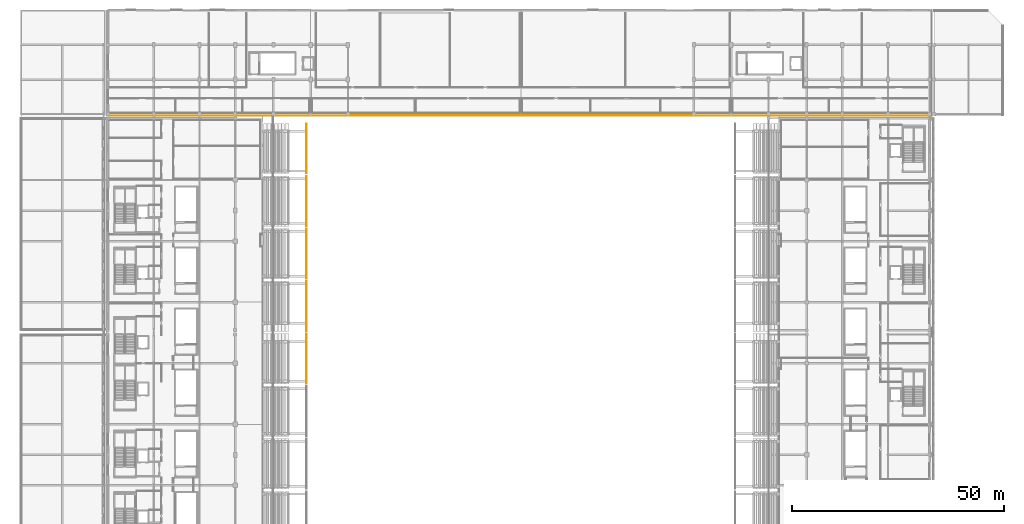
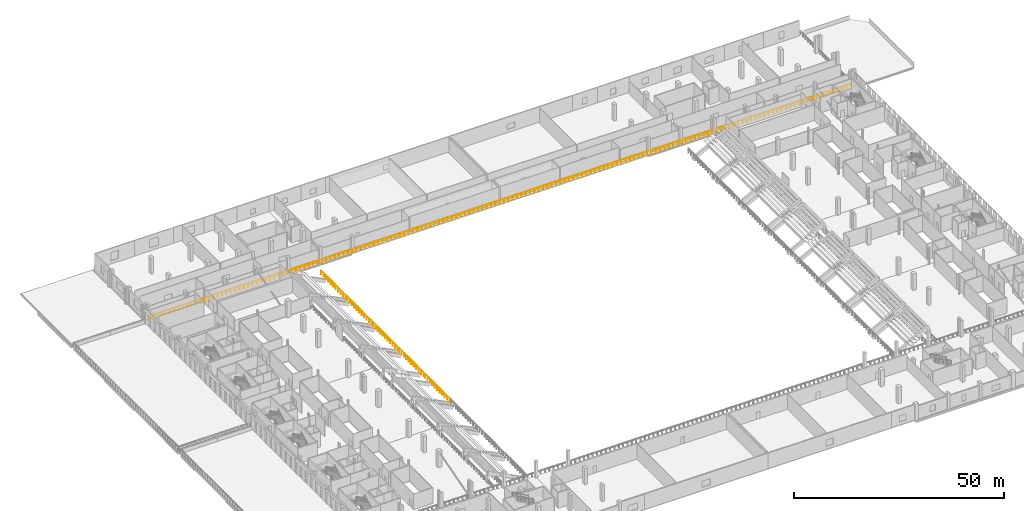
# One storey, part 63 of 74: 6 railings.
"""IFC4 building model written with IfcOpenShell, lengths in metres."""

from ifc_helpers import new_model, si_unit, direction, frame, origin, origin_2d, place, context, subcontext, project, spatial, circle, extrude, material, type_object, element, save


model = new_model("IFC4")

# Units and contexts
model_context = context("Model", 3, precision=1e-05, world=origin(), true_north=direction((0.0, 1.0)))
body_context = subcontext(model_context, "Body", "Model", "MODEL_VIEW")
ifc_project = project(units=[si_unit("LENGTHUNIT", "METRE"), si_unit("AREAUNIT", "SQUARE_METRE"), si_unit("VOLUMEUNIT", "CUBIC_METRE"), si_unit("PLANEANGLEUNIT", "RADIAN"), si_unit("MASSUNIT", "GRAM", prefix="KILO")], contexts=[model_context])

# Site, building, storey
site_placement = place(None, origin())
site = spatial("IfcSite", under=ifc_project, at=site_placement, CompositionType="ELEMENT")
building_placement = place(site_placement, origin())
building = spatial("IfcBuilding", under=site, at=building_placement, Name="Koshinbarg Plaza Stadium", CompositionType="ELEMENT")
storey_placement = place(building_placement, frame((0.0, 0.0, 15.0)))
storey = spatial("IfcBuildingStorey", under=building, at=storey_placement, Name="L03", CompositionType="ELEMENT", Elevation=15.0)

# Railings
ifc_material = material(Name="Toughened laminated glass and stainless steel sightline balustrade", Category="steel")
railing_type = type_object("IfcRailingType", Name="RL-BOWL-1100", PredefinedType="BALUSTRADE", material=ifc_material)
railing_1_placement = place(storey_placement, frame((25.0, 127.1201171875, 0.0)))
element("IfcRailing", 1, at=railing_1_placement, inside=storey, type_object=railing_type, Name="L03 bowl concourse sightline balustrade 0024", PredefinedType="BALUSTRADE", context=body_context, shape_type="SweptSolid", body=[
    extrude(circle(Radius=0.02392578125, at=origin_2d()), frame((0.0, 0.0, 1.076171875), z_axis=(1.0, 0.0, 0.0), x_axis=(0.0, 1.0, 0.0)), (0.0, 0.0, 1.0), 193.39990234375),
    extrude(circle(Radius=0.02099609375, at=origin_2d()), origin(), (0.0, 0.0, 1.0), 1.052001953125),
    extrude(circle(Radius=0.02099609375, at=origin_2d()), frame((1.19384765625, 0.0, 0.0)), (0.0, 0.0, 1.0), 1.052001953125),
    extrude(circle(Radius=0.02099609375, at=origin_2d()), frame((2.3876953125, 0.0, 0.0)), (0.0, 0.0, 1.0), 1.052001953125),
    extrude(circle(Radius=0.02099609375, at=origin_2d()), frame((3.58154296875, 0.0, 0.0)), (0.0, 0.0, 1.0), 1.052001953125),
    extrude(circle(Radius=0.02099609375, at=origin_2d()), frame((4.775390625, 0.0, 0.0)), (0.0, 0.0, 1.0), 1.052001953125),
    extrude(circle(Radius=0.02099609375, at=origin_2d()), frame((5.96923828125, 0.0, 0.0)), (0.0, 0.0, 1.0), 1.052001953125),
    extrude(circle(Radius=0.02099609375, at=origin_2d()), frame((7.162841796875, 0.0, 0.0)), (0.0, 0.0, 1.0), 1.052001953125),
    extrude(circle(Radius=0.02099609375, at=origin_2d()), frame((8.356689453125, 0.0, 0.0)), (0.0, 0.0, 1.0), 1.052001953125),
    extrude(circle(Radius=0.02099609375, at=origin_2d()), frame((9.550537109375, 0.0, 0.0)), (0.0, 0.0, 1.0), 1.052001953125),
    extrude(circle(Radius=0.02099609375, at=origin_2d()), frame((10.744384765625, 0.0, 0.0)), (0.0, 0.0, 1.0), 1.052001953125),
    extrude(circle(Radius=0.02099609375, at=origin_2d()), frame((11.938232421875, 0.0, 0.0)), (0.0, 0.0, 1.0), 1.052001953125),
    extrude(circle(Radius=0.02099609375, at=origin_2d()), frame((13.132080078125, 0.0, 0.0)), (0.0, 0.0, 1.0), 1.052001953125),
    extrude(circle(Radius=0.02099609375, at=origin_2d()), frame((14.325927734375, 0.0, 0.0)), (0.0, 0.0, 1.0), 1.052001953125),
    extrude(circle(Radius=0.02099609375, at=origin_2d()), frame((15.519775390625, 0.0, 0.0)), (0.0, 0.0, 1.0), 1.052001953125),
    extrude(circle(Radius=0.02099609375, at=origin_2d()), frame((16.713623046875, 0.0, 0.0)), (0.0, 0.0, 1.0), 1.052001953125),
    extrude(circle(Radius=0.02099609375, at=origin_2d()), frame((17.907470703125, 0.0, 0.0)), (0.0, 0.0, 1.0), 1.052001953125),
    extrude(circle(Radius=0.02099609375, at=origin_2d()), frame((19.101318359375, 0.0, 0.0)), (0.0, 0.0, 1.0), 1.052001953125),
    extrude(circle(Radius=0.02099609375, at=origin_2d()), frame((20.295166015625, 0.0, 0.0)), (0.0, 0.0, 1.0), 1.052001953125),
    extrude(circle(Radius=0.02099609375, at=origin_2d()), frame((21.48876953125, 0.0, 0.0)), (0.0, 0.0, 1.0), 1.052001953125),
    extrude(circle(Radius=0.02099609375, at=origin_2d()), frame((22.6826171875, 0.0, 0.0)), (0.0, 0.0, 1.0), 1.052001953125),
    extrude(circle(Radius=0.02099609375, at=origin_2d()), frame((23.87646484375, 0.0, 0.0)), (0.0, 0.0, 1.0), 1.052001953125),
    extrude(circle(Radius=0.02099609375, at=origin_2d()), frame((25.0703125, 0.0, 0.0)), (0.0, 0.0, 1.0), 1.052001953125),
    extrude(circle(Radius=0.02099609375, at=origin_2d()), frame((26.26416015625, 0.0, 0.0)), (0.0, 0.0, 1.0), 1.052001953125),
    extrude(circle(Radius=0.02099609375, at=origin_2d()), frame((27.4580078125, 0.0, 0.0)), (0.0, 0.0, 1.0), 1.052001953125),
    extrude(circle(Radius=0.02099609375, at=origin_2d()), frame((28.65185546875, 0.0, 0.0)), (0.0, 0.0, 1.0), 1.052001953125),
    extrude(circle(Radius=0.02099609375, at=origin_2d()), frame((29.845703125, 0.0, 0.0)), (0.0, 0.0, 1.0), 1.052001953125),
    extrude(circle(Radius=0.02099609375, at=origin_2d()), frame((31.03955078125, 0.0, 0.0)), (0.0, 0.0, 1.0), 1.052001953125),
    extrude(circle(Radius=0.02099609375, at=origin_2d()), frame((32.2333984375, 0.0, 0.0)), (0.0, 0.0, 1.0), 1.052001953125),
    extrude(circle(Radius=0.02099609375, at=origin_2d()), frame((33.42724609375, 0.0, 0.0)), (0.0, 0.0, 1.0), 1.052001953125),
    extrude(circle(Radius=0.02099609375, at=origin_2d()), frame((34.620849609375, 0.0, 0.0)), (0.0, 0.0, 1.0), 1.052001953125),
    extrude(circle(Radius=0.02099609375, at=origin_2d()), frame((35.814697265625, 0.0, 0.0)), (0.0, 0.0, 1.0), 1.052001953125),
    extrude(circle(Radius=0.02099609375, at=origin_2d()), frame((37.008544921875, 0.0, 0.0)), (0.0, 0.0, 1.0), 1.052001953125),
    extrude(circle(Radius=0.02099609375, at=origin_2d()), frame((38.202392578125, 0.0, 0.0)), (0.0, 0.0, 1.0), 1.052001953125),
    extrude(circle(Radius=0.02099609375, at=origin_2d()), frame((39.396240234375, 0.0, 0.0)), (0.0, 0.0, 1.0), 1.052001953125),
    extrude(circle(Radius=0.02099609375, at=origin_2d()), frame((40.590087890625, 0.0, 0.0)), (0.0, 0.0, 1.0), 1.052001953125),
    extrude(circle(Radius=0.02099609375, at=origin_2d()), frame((41.783935546875, 0.0, 0.0)), (0.0, 0.0, 1.0), 1.052001953125),
    extrude(circle(Radius=0.02099609375, at=origin_2d()), frame((42.977783203125, 0.0, 0.0)), (0.0, 0.0, 1.0), 1.052001953125),
    extrude(circle(Radius=0.02099609375, at=origin_2d()), frame((44.171630859375, 0.0, 0.0)), (0.0, 0.0, 1.0), 1.052001953125),
    extrude(circle(Radius=0.02099609375, at=origin_2d()), frame((45.365478515625, 0.0, 0.0)), (0.0, 0.0, 1.0), 1.052001953125),
    extrude(circle(Radius=0.02099609375, at=origin_2d()), frame((46.559326171875, 0.0, 0.0)), (0.0, 0.0, 1.0), 1.052001953125),
    extrude(circle(Radius=0.02099609375, at=origin_2d()), frame((47.753173828125, 0.0, 0.0)), (0.0, 0.0, 1.0), 1.052001953125),
    extrude(circle(Radius=0.02099609375, at=origin_2d()), frame((48.94677734375, 0.0, 0.0)), (0.0, 0.0, 1.0), 1.052001953125),
    extrude(circle(Radius=0.02099609375, at=origin_2d()), frame((50.140625, 0.0, 0.0)), (0.0, 0.0, 1.0), 1.052001953125),
    extrude(circle(Radius=0.02099609375, at=origin_2d()), frame((51.33447265625, 0.0, 0.0)), (0.0, 0.0, 1.0), 1.052001953125),
    extrude(circle(Radius=0.02099609375, at=origin_2d()), frame((52.5283203125, 0.0, 0.0)), (0.0, 0.0, 1.0), 1.052001953125),
    extrude(circle(Radius=0.02099609375, at=origin_2d()), frame((53.72216796875, 0.0, 0.0)), (0.0, 0.0, 1.0), 1.052001953125),
    extrude(circle(Radius=0.02099609375, at=origin_2d()), frame((54.916015625, 0.0, 0.0)), (0.0, 0.0, 1.0), 1.052001953125),
    extrude(circle(Radius=0.02099609375, at=origin_2d()), frame((56.10986328125, 0.0, 0.0)), (0.0, 0.0, 1.0), 1.052001953125),
    extrude(circle(Radius=0.02099609375, at=origin_2d()), frame((57.3037109375, 0.0, 0.0)), (0.0, 0.0, 1.0), 1.052001953125),
    extrude(circle(Radius=0.02099609375, at=origin_2d()), frame((58.49755859375, 0.0, 0.0)), (0.0, 0.0, 1.0), 1.052001953125),
    extrude(circle(Radius=0.02099609375, at=origin_2d()), frame((59.69140625, 0.0, 0.0)), (0.0, 0.0, 1.0), 1.052001953125),
    extrude(circle(Radius=0.02099609375, at=origin_2d()), frame((60.88525390625, 0.0, 0.0)), (0.0, 0.0, 1.0), 1.052001953125),
    extrude(circle(Radius=0.02099609375, at=origin_2d()), frame((62.0791015625, 0.0, 0.0)), (0.0, 0.0, 1.0), 1.052001953125),
    extrude(circle(Radius=0.02099609375, at=origin_2d()), frame((63.272705078125, 0.0, 0.0)), (0.0, 0.0, 1.0), 1.052001953125),
    extrude(circle(Radius=0.02099609375, at=origin_2d()), frame((64.466552734375, 0.0, 0.0)), (0.0, 0.0, 1.0), 1.052001953125),
    extrude(circle(Radius=0.02099609375, at=origin_2d()), frame((65.660400390625, 0.0, 0.0)), (0.0, 0.0, 1.0), 1.052001953125),
    extrude(circle(Radius=0.02099609375, at=origin_2d()), frame((66.854248046875, 0.0, 0.0)), (0.0, 0.0, 1.0), 1.052001953125),
    extrude(circle(Radius=0.02099609375, at=origin_2d()), frame((68.048095703125, 0.0, 0.0)), (0.0, 0.0, 1.0), 1.052001953125),
    extrude(circle(Radius=0.02099609375, at=origin_2d()), frame((69.241943359375, 0.0, 0.0)), (0.0, 0.0, 1.0), 1.052001953125),
    extrude(circle(Radius=0.02099609375, at=origin_2d()), frame((70.435791015625, 0.0, 0.0)), (0.0, 0.0, 1.0), 1.052001953125),
    extrude(circle(Radius=0.02099609375, at=origin_2d()), frame((71.629638671875, 0.0, 0.0)), (0.0, 0.0, 1.0), 1.052001953125),
    extrude(circle(Radius=0.02099609375, at=origin_2d()), frame((72.823486328125, 0.0, 0.0)), (0.0, 0.0, 1.0), 1.052001953125),
    extrude(circle(Radius=0.02099609375, at=origin_2d()), frame((74.017333984375, 0.0, 0.0)), (0.0, 0.0, 1.0), 1.052001953125),
    extrude(circle(Radius=0.02099609375, at=origin_2d()), frame((75.211181640625, 0.0, 0.0)), (0.0, 0.0, 1.0), 1.052001953125),
    extrude(circle(Radius=0.02099609375, at=origin_2d()), frame((76.40478515625, 0.0, 0.0)), (0.0, 0.0, 1.0), 1.052001953125),
    extrude(circle(Radius=0.02099609375, at=origin_2d()), frame((77.5986328125, 0.0, 0.0)), (0.0, 0.0, 1.0), 1.052001953125),
    extrude(circle(Radius=0.02099609375, at=origin_2d()), frame((78.79248046875, 0.0, 0.0)), (0.0, 0.0, 1.0), 1.052001953125),
    extrude(circle(Radius=0.02099609375, at=origin_2d()), frame((79.986328125, 0.0, 0.0)), (0.0, 0.0, 1.0), 1.052001953125),
    extrude(circle(Radius=0.02099609375, at=origin_2d()), frame((81.18017578125, 0.0, 0.0)), (0.0, 0.0, 1.0), 1.052001953125),
    extrude(circle(Radius=0.02099609375, at=origin_2d()), frame((82.3740234375, 0.0, 0.0)), (0.0, 0.0, 1.0), 1.052001953125),
    extrude(circle(Radius=0.02099609375, at=origin_2d()), frame((83.56787109375, 0.0, 0.0)), (0.0, 0.0, 1.0), 1.052001953125),
    extrude(circle(Radius=0.02099609375, at=origin_2d()), frame((84.76171875, 0.0, 0.0)), (0.0, 0.0, 1.0), 1.052001953125),
    extrude(circle(Radius=0.02099609375, at=origin_2d()), frame((85.95556640625, 0.0, 0.0)), (0.0, 0.0, 1.0), 1.052001953125),
    extrude(circle(Radius=0.02099609375, at=origin_2d()), frame((87.1494140625, 0.0, 0.0)), (0.0, 0.0, 1.0), 1.052001953125),
    extrude(circle(Radius=0.02099609375, at=origin_2d()), frame((88.34326171875, 0.0, 0.0)), (0.0, 0.0, 1.0), 1.052001953125),
    extrude(circle(Radius=0.02099609375, at=origin_2d()), frame((89.537109375, 0.0, 0.0)), (0.0, 0.0, 1.0), 1.052001953125),
    extrude(circle(Radius=0.02099609375, at=origin_2d()), frame((90.730712890625, 0.0, 0.0)), (0.0, 0.0, 1.0), 1.052001953125),
    extrude(circle(Radius=0.02099609375, at=origin_2d()), frame((91.924560546875, 0.0, 0.0)), (0.0, 0.0, 1.0), 1.052001953125),
    extrude(circle(Radius=0.02099609375, at=origin_2d()), frame((93.118408203125, 0.0, 0.0)), (0.0, 0.0, 1.0), 1.052001953125),
    extrude(circle(Radius=0.02099609375, at=origin_2d()), frame((94.312255859375, 0.0, 0.0)), (0.0, 0.0, 1.0), 1.052001953125),
    extrude(circle(Radius=0.02099609375, at=origin_2d()), frame((95.506103515625, 0.0, 0.0)), (0.0, 0.0, 1.0), 1.052001953125),
    extrude(circle(Radius=0.02099609375, at=origin_2d()), frame((96.699951171875, 0.0, 0.0)), (0.0, 0.0, 1.0), 1.052001953125),
    extrude(circle(Radius=0.02099609375, at=origin_2d()), frame((97.893798828125, 0.0, 0.0)), (0.0, 0.0, 1.0), 1.052001953125),
    extrude(circle(Radius=0.02099609375, at=origin_2d()), frame((99.087646484375, 0.0, 0.0)), (0.0, 0.0, 1.0), 1.052001953125),
    extrude(circle(Radius=0.02099609375, at=origin_2d()), frame((100.281494140625, 0.0, 0.0)), (0.0, 0.0, 1.0), 1.052001953125),
    extrude(circle(Radius=0.02099609375, at=origin_2d()), frame((101.475341796875, 0.0, 0.0)), (0.0, 0.0, 1.0), 1.052001953125),
    extrude(circle(Radius=0.02099609375, at=origin_2d()), frame((102.669189453125, 0.0, 0.0)), (0.0, 0.0, 1.0), 1.052001953125),
    extrude(circle(Radius=0.02099609375, at=origin_2d()), frame((103.86279296875, 0.0, 0.0)), (0.0, 0.0, 1.0), 1.052001953125),
    extrude(circle(Radius=0.02099609375, at=origin_2d()), frame((105.056640625, 0.0, 0.0)), (0.0, 0.0, 1.0), 1.052001953125),
    extrude(circle(Radius=0.02099609375, at=origin_2d()), frame((106.25048828125, 0.0, 0.0)), (0.0, 0.0, 1.0), 1.052001953125),
    extrude(circle(Radius=0.02099609375, at=origin_2d()), frame((107.4443359375, 0.0, 0.0)), (0.0, 0.0, 1.0), 1.052001953125),
    extrude(circle(Radius=0.02099609375, at=origin_2d()), frame((108.63818359375, 0.0, 0.0)), (0.0, 0.0, 1.0), 1.052001953125),
    extrude(circle(Radius=0.02099609375, at=origin_2d()), frame((109.83203125, 0.0, 0.0)), (0.0, 0.0, 1.0), 1.052001953125),
    extrude(circle(Radius=0.02099609375, at=origin_2d()), frame((111.02587890625, 0.0, 0.0)), (0.0, 0.0, 1.0), 1.052001953125),
    extrude(circle(Radius=0.02099609375, at=origin_2d()), frame((112.2197265625, 0.0, 0.0)), (0.0, 0.0, 1.0), 1.052001953125),
    extrude(circle(Radius=0.02099609375, at=origin_2d()), frame((113.41357421875, 0.0, 0.0)), (0.0, 0.0, 1.0), 1.052001953125),
    extrude(circle(Radius=0.02099609375, at=origin_2d()), frame((114.607421875, 0.0, 0.0)), (0.0, 0.0, 1.0), 1.052001953125),
    extrude(circle(Radius=0.02099609375, at=origin_2d()), frame((115.80126953125, 0.0, 0.0)), (0.0, 0.0, 1.0), 1.052001953125),
    extrude(circle(Radius=0.02099609375, at=origin_2d()), frame((116.9951171875, 0.0, 0.0)), (0.0, 0.0, 1.0), 1.052001953125),
    extrude(circle(Radius=0.02099609375, at=origin_2d()), frame((118.188720703125, 0.0, 0.0)), (0.0, 0.0, 1.0), 1.052001953125),
    extrude(circle(Radius=0.02099609375, at=origin_2d()), frame((119.382568359375, 0.0, 0.0)), (0.0, 0.0, 1.0), 1.052001953125),
    extrude(circle(Radius=0.02099609375, at=origin_2d()), frame((120.576416015625, 0.0, 0.0)), (0.0, 0.0, 1.0), 1.052001953125),
    extrude(circle(Radius=0.02099609375, at=origin_2d()), frame((121.770263671875, 0.0, 0.0)), (0.0, 0.0, 1.0), 1.052001953125),
    extrude(circle(Radius=0.02099609375, at=origin_2d()), frame((122.964111328125, 0.0, 0.0)), (0.0, 0.0, 1.0), 1.052001953125),
    extrude(circle(Radius=0.02099609375, at=origin_2d()), frame((124.157958984375, 0.0, 0.0)), (0.0, 0.0, 1.0), 1.052001953125),
    extrude(circle(Radius=0.02099609375, at=origin_2d()), frame((125.351806640625, 0.0, 0.0)), (0.0, 0.0, 1.0), 1.052001953125),
    extrude(circle(Radius=0.02099609375, at=origin_2d()), frame((126.545654296875, 0.0, 0.0)), (0.0, 0.0, 1.0), 1.052001953125),
    extrude(circle(Radius=0.02099609375, at=origin_2d()), frame((127.739501953125, 0.0, 0.0)), (0.0, 0.0, 1.0), 1.052001953125),
    extrude(circle(Radius=0.02099609375, at=origin_2d()), frame((128.933349609375, 0.0, 0.0)), (0.0, 0.0, 1.0), 1.052001953125),
    extrude(circle(Radius=0.02099609375, at=origin_2d()), frame((130.127197265625, 0.0, 0.0)), (0.0, 0.0, 1.0), 1.052001953125),
    extrude(circle(Radius=0.02099609375, at=origin_2d()), frame((131.32080078125, 0.0, 0.0)), (0.0, 0.0, 1.0), 1.052001953125),
    extrude(circle(Radius=0.02099609375, at=origin_2d()), frame((132.5146484375, 0.0, 0.0)), (0.0, 0.0, 1.0), 1.052001953125),
    extrude(circle(Radius=0.02099609375, at=origin_2d()), frame((133.70849609375, 0.0, 0.0)), (0.0, 0.0, 1.0), 1.052001953125),
    extrude(circle(Radius=0.02099609375, at=origin_2d()), frame((134.90234375, 0.0, 0.0)), (0.0, 0.0, 1.0), 1.052001953125),
    extrude(circle(Radius=0.02099609375, at=origin_2d()), frame((136.09619140625, 0.0, 0.0)), (0.0, 0.0, 1.0), 1.052001953125),
    extrude(circle(Radius=0.02099609375, at=origin_2d()), frame((137.2900390625, 0.0, 0.0)), (0.0, 0.0, 1.0), 1.052001953125),
    extrude(circle(Radius=0.02099609375, at=origin_2d()), frame((138.48388671875, 0.0, 0.0)), (0.0, 0.0, 1.0), 1.052001953125),
    extrude(circle(Radius=0.02099609375, at=origin_2d()), frame((139.677734375, 0.0, 0.0)), (0.0, 0.0, 1.0), 1.052001953125),
    extrude(circle(Radius=0.02099609375, at=origin_2d()), frame((140.87158203125, 0.0, 0.0)), (0.0, 0.0, 1.0), 1.052001953125),
    extrude(circle(Radius=0.02099609375, at=origin_2d()), frame((142.0654296875, 0.0, 0.0)), (0.0, 0.0, 1.0), 1.052001953125),
    extrude(circle(Radius=0.02099609375, at=origin_2d()), frame((143.25927734375, 0.0, 0.0)), (0.0, 0.0, 1.0), 1.052001953125),
    extrude(circle(Radius=0.02099609375, at=origin_2d()), frame((144.453125, 0.0, 0.0)), (0.0, 0.0, 1.0), 1.052001953125),
    extrude(circle(Radius=0.02099609375, at=origin_2d()), frame((145.646728515625, 0.0, 0.0)), (0.0, 0.0, 1.0), 1.052001953125),
    extrude(circle(Radius=0.02099609375, at=origin_2d()), frame((146.840576171875, 0.0, 0.0)), (0.0, 0.0, 1.0), 1.052001953125),
    extrude(circle(Radius=0.02099609375, at=origin_2d()), frame((148.034423828125, 0.0, 0.0)), (0.0, 0.0, 1.0), 1.052001953125),
    extrude(circle(Radius=0.02099609375, at=origin_2d()), frame((149.228271484375, 0.0, 0.0)), (0.0, 0.0, 1.0), 1.052001953125),
    extrude(circle(Radius=0.02099609375, at=origin_2d()), frame((150.422119140625, 0.0, 0.0)), (0.0, 0.0, 1.0), 1.052001953125),
    extrude(circle(Radius=0.02099609375, at=origin_2d()), frame((151.615966796875, 0.0, 0.0)), (0.0, 0.0, 1.0), 1.052001953125),
    extrude(circle(Radius=0.02099609375, at=origin_2d()), frame((152.809814453125, 0.0, 0.0)), (0.0, 0.0, 1.0), 1.052001953125),
    extrude(circle(Radius=0.02099609375, at=origin_2d()), frame((154.003662109375, 0.0, 0.0)), (0.0, 0.0, 1.0), 1.052001953125),
    extrude(circle(Radius=0.02099609375, at=origin_2d()), frame((155.197509765625, 0.0, 0.0)), (0.0, 0.0, 1.0), 1.052001953125),
    extrude(circle(Radius=0.02099609375, at=origin_2d()), frame((156.391357421875, 0.0, 0.0)), (0.0, 0.0, 1.0), 1.052001953125),
    extrude(circle(Radius=0.02099609375, at=origin_2d()), frame((157.585205078125, 0.0, 0.0)), (0.0, 0.0, 1.0), 1.052001953125),
    extrude(circle(Radius=0.02099609375, at=origin_2d()), frame((158.779052734375, 0.0, 0.0)), (0.0, 0.0, 1.0), 1.052001953125),
    extrude(circle(Radius=0.02099609375, at=origin_2d()), frame((159.97265625, 0.0, 0.0)), (0.0, 0.0, 1.0), 1.052001953125),
    extrude(circle(Radius=0.02099609375, at=origin_2d()), frame((161.16650390625, 0.0, 0.0)), (0.0, 0.0, 1.0), 1.052001953125),
    extrude(circle(Radius=0.02099609375, at=origin_2d()), frame((162.3603515625, 0.0, 0.0)), (0.0, 0.0, 1.0), 1.052001953125),
    extrude(circle(Radius=0.02099609375, at=origin_2d()), frame((163.55419921875, 0.0, 0.0)), (0.0, 0.0, 1.0), 1.052001953125),
    extrude(circle(Radius=0.02099609375, at=origin_2d()), frame((164.748046875, 0.0, 0.0)), (0.0, 0.0, 1.0), 1.052001953125),
    extrude(circle(Radius=0.02099609375, at=origin_2d()), frame((165.94189453125, 0.0, 0.0)), (0.0, 0.0, 1.0), 1.052001953125),
    extrude(circle(Radius=0.02099609375, at=origin_2d()), frame((167.1357421875, 0.0, 0.0)), (0.0, 0.0, 1.0), 1.052001953125),
    extrude(circle(Radius=0.02099609375, at=origin_2d()), frame((168.32958984375, 0.0, 0.0)), (0.0, 0.0, 1.0), 1.052001953125),
    extrude(circle(Radius=0.02099609375, at=origin_2d()), frame((169.5234375, 0.0, 0.0)), (0.0, 0.0, 1.0), 1.052001953125),
    extrude(circle(Radius=0.02099609375, at=origin_2d()), frame((170.71728515625, 0.0, 0.0)), (0.0, 0.0, 1.0), 1.052001953125),
    extrude(circle(Radius=0.02099609375, at=origin_2d()), frame((171.9111328125, 0.0, 0.0)), (0.0, 0.0, 1.0), 1.052001953125),
    extrude(circle(Radius=0.02099609375, at=origin_2d()), frame((173.104736328125, 0.0, 0.0)), (0.0, 0.0, 1.0), 1.052001953125),
    extrude(circle(Radius=0.02099609375, at=origin_2d()), frame((174.298583984375, 0.0, 0.0)), (0.0, 0.0, 1.0), 1.052001953125),
    extrude(circle(Radius=0.02099609375, at=origin_2d()), frame((175.492431640625, 0.0, 0.0)), (0.0, 0.0, 1.0), 1.052001953125),
    extrude(circle(Radius=0.02099609375, at=origin_2d()), frame((176.686279296875, 0.0, 0.0)), (0.0, 0.0, 1.0), 1.052001953125),
    extrude(circle(Radius=0.02099609375, at=origin_2d()), frame((177.880126953125, 0.0, 0.0)), (0.0, 0.0, 1.0), 1.052001953125),
    extrude(circle(Radius=0.02099609375, at=origin_2d()), frame((179.073974609375, 0.0, 0.0)), (0.0, 0.0, 1.0), 1.052001953125),
    extrude(circle(Radius=0.02099609375, at=origin_2d()), frame((180.267822265625, 0.0, 0.0)), (0.0, 0.0, 1.0), 1.052001953125),
    extrude(circle(Radius=0.02099609375, at=origin_2d()), frame((181.461669921875, 0.0, 0.0)), (0.0, 0.0, 1.0), 1.052001953125),
    extrude(circle(Radius=0.02099609375, at=origin_2d()), frame((182.655517578125, 0.0, 0.0)), (0.0, 0.0, 1.0), 1.052001953125),
    extrude(circle(Radius=0.02099609375, at=origin_2d()), frame((183.849365234375, 0.0, 0.0)), (0.0, 0.0, 1.0), 1.052001953125),
    extrude(circle(Radius=0.02099609375, at=origin_2d()), frame((185.043212890625, 0.0, 0.0)), (0.0, 0.0, 1.0), 1.052001953125),
    extrude(circle(Radius=0.02099609375, at=origin_2d()), frame((186.237060546875, 0.0, 0.0)), (0.0, 0.0, 1.0), 1.052001953125),
    extrude(circle(Radius=0.02099609375, at=origin_2d()), frame((187.4306640625, 0.0, 0.0)), (0.0, 0.0, 1.0), 1.052001953125),
    extrude(circle(Radius=0.02099609375, at=origin_2d()), frame((188.62451171875, 0.0, 0.0)), (0.0, 0.0, 1.0), 1.052001953125),
    extrude(circle(Radius=0.02099609375, at=origin_2d()), frame((189.818359375, 0.0, 0.0)), (0.0, 0.0, 1.0), 1.052001953125),
    extrude(circle(Radius=0.02099609375, at=origin_2d()), frame((191.01220703125, 0.0, 0.0)), (0.0, 0.0, 1.0), 1.052001953125),
    extrude(circle(Radius=0.02099609375, at=origin_2d()), frame((192.2060546875, 0.0, 0.0)), (0.0, 0.0, 1.0), 1.052001953125),
    extrude(circle(Radius=0.02099609375, at=origin_2d()), frame((193.39990234375, 0.0, 0.0)), (0.0, 0.0, 1.0), 1.052001953125),
])
railing_2_placement = place(storey_placement, frame((71.419921875, 63.8798828125, -1.780029296875)))
element("IfcRailing", 2, at=railing_2_placement, inside=storey, type_object=railing_type, Name="UT-W04 front stand crowd barrier", PredefinedType="BALUSTRADE", context=body_context, shape_type="SweptSolid", body=[
    extrude(circle(Radius=0.02392578125, at=origin_2d()), frame((0.0, 0.0, 1.076171875), z_axis=(0.0, 1.0, 0.0), x_axis=(-1.0, 0.0, 0.0)), (0.0, 0.0, 1.0), 11.740234375),
    extrude(circle(Radius=0.02099609375, at=origin_2d()), origin(), (0.0, 0.0, 1.0), 1.052001953125),
    extrude(circle(Radius=0.02099609375, at=origin_2d()), frame((0.0, 1.174072265625, 0.0)), (0.0, 0.0, 1.0), 1.052001953125),
    extrude(circle(Radius=0.02099609375, at=origin_2d()), frame((0.0, 2.34814453125, 0.0)), (0.0, 0.0, 1.0), 1.052001953125),
    extrude(circle(Radius=0.02099609375, at=origin_2d()), frame((0.0, 3.52197265625, 0.0)), (0.0, 0.0, 1.0), 1.052001953125),
    extrude(circle(Radius=0.02099609375, at=origin_2d()), frame((0.0, 4.696044921875, 0.0)), (0.0, 0.0, 1.0), 1.052001953125),
    extrude(circle(Radius=0.02099609375, at=origin_2d()), frame((0.0, 5.8701171875, 0.0)), (0.0, 0.0, 1.0), 1.052001953125),
    extrude(circle(Radius=0.02099609375, at=origin_2d()), frame((0.0, 7.044189453125, 0.0)), (0.0, 0.0, 1.0), 1.052001953125),
    extrude(circle(Radius=0.02099609375, at=origin_2d()), frame((0.0, 8.21826171875, 0.0)), (0.0, 0.0, 1.0), 1.052001953125),
    extrude(circle(Radius=0.02099609375, at=origin_2d()), frame((0.0, 9.39208984375, 0.0)), (0.0, 0.0, 1.0), 1.052001953125),
    extrude(circle(Radius=0.02099609375, at=origin_2d()), frame((0.0, 10.566162109375, 0.0)), (0.0, 0.0, 1.0), 1.052001953125),
    extrude(circle(Radius=0.02099609375, at=origin_2d()), frame((0.0, 11.740234375, 0.0)), (0.0, 0.0, 1.0), 1.052001953125),
])
for number, where, name in (
    (3, (71.419921875, 76.280029296875, -1.780029296875), "UT-W05 front stand crowd barrier"),
    (4, (71.419921875, 88.679931640625, -1.780029296875), "UT-W06 front stand crowd barrier"),
    (5, (71.419921875, 101.080078125, -1.780029296875), "UT-W07 front stand crowd barrier"),
    (6, (71.419921875, 113.47998046875, -1.780029296875), "UT-W08 front stand crowd barrier"),
):
    element("IfcRailing", number, at=place(storey_placement, frame(where)), inside=storey, type_object=railing_type, Name=name, PredefinedType="BALUSTRADE", context=body_context, shape_type="SweptSolid", body=[
        extrude(circle(Radius=0.02392578125, at=origin_2d()), frame((0.0, 0.0, 1.076171875), z_axis=(0.0, 1.0, 0.0), x_axis=(-1.0, 0.0, 0.0)), (0.0, 0.0, 1.0), 11.739990234375),
        extrude(circle(Radius=0.02099609375, at=origin_2d()), origin(), (0.0, 0.0, 1.0), 1.052001953125),
        extrude(circle(Radius=0.02099609375, at=origin_2d()), frame((0.0, 1.174072265625, 0.0)), (0.0, 0.0, 1.0), 1.052001953125),
        extrude(circle(Radius=0.02099609375, at=origin_2d()), frame((0.0, 2.347900390625, 0.0)), (0.0, 0.0, 1.0), 1.052001953125),
        extrude(circle(Radius=0.02099609375, at=origin_2d()), frame((0.0, 3.52197265625, 0.0)), (0.0, 0.0, 1.0), 1.052001953125),
        extrude(circle(Radius=0.02099609375, at=origin_2d()), frame((0.0, 4.696044921875, 0.0)), (0.0, 0.0, 1.0), 1.052001953125),
        extrude(circle(Radius=0.02099609375, at=origin_2d()), frame((0.0, 5.8701171875, 0.0)), (0.0, 0.0, 1.0), 1.052001953125),
        extrude(circle(Radius=0.02099609375, at=origin_2d()), frame((0.0, 7.0439453125, 0.0)), (0.0, 0.0, 1.0), 1.052001953125),
        extrude(circle(Radius=0.02099609375, at=origin_2d()), frame((0.0, 8.218017578125, 0.0)), (0.0, 0.0, 1.0), 1.052001953125),
        extrude(circle(Radius=0.02099609375, at=origin_2d()), frame((0.0, 9.39208984375, 0.0)), (0.0, 0.0, 1.0), 1.052001953125),
        extrude(circle(Radius=0.02099609375, at=origin_2d()), frame((0.0, 10.56591796875, 0.0)), (0.0, 0.0, 1.0), 1.052001953125),
        extrude(circle(Radius=0.02099609375, at=origin_2d()), frame((0.0, 11.739990234375, 0.0)), (0.0, 0.0, 1.0), 1.052001953125),
    ])

save(model, "model.ifc")
